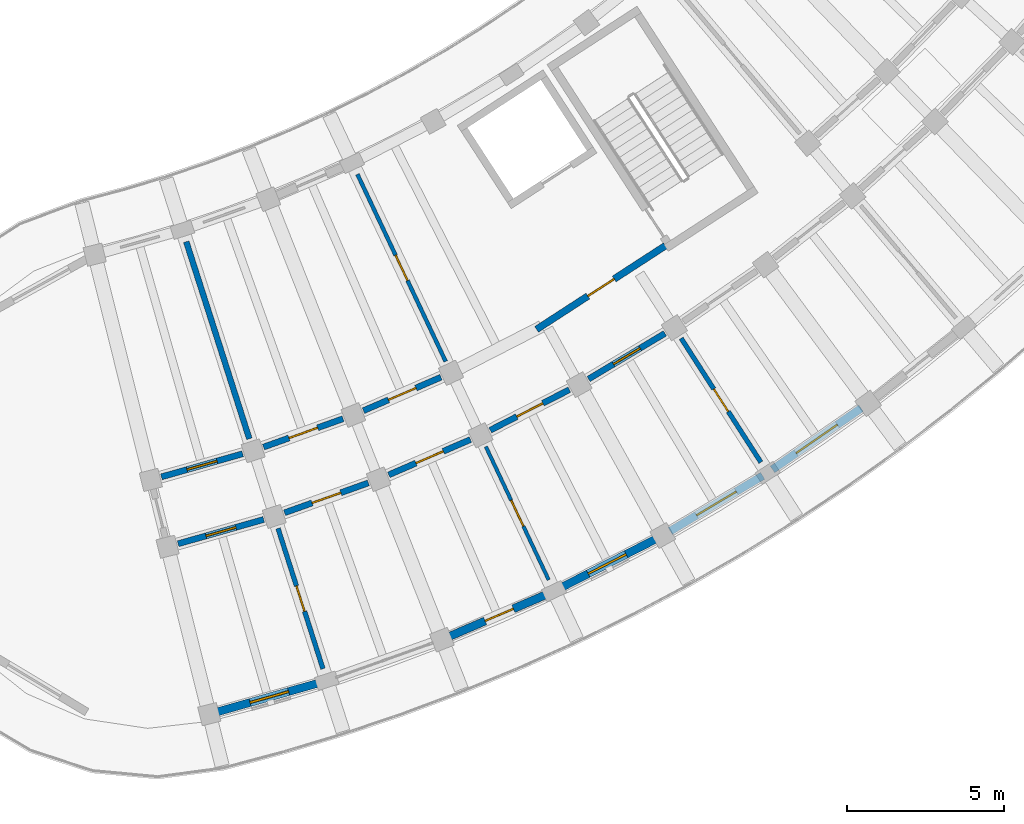
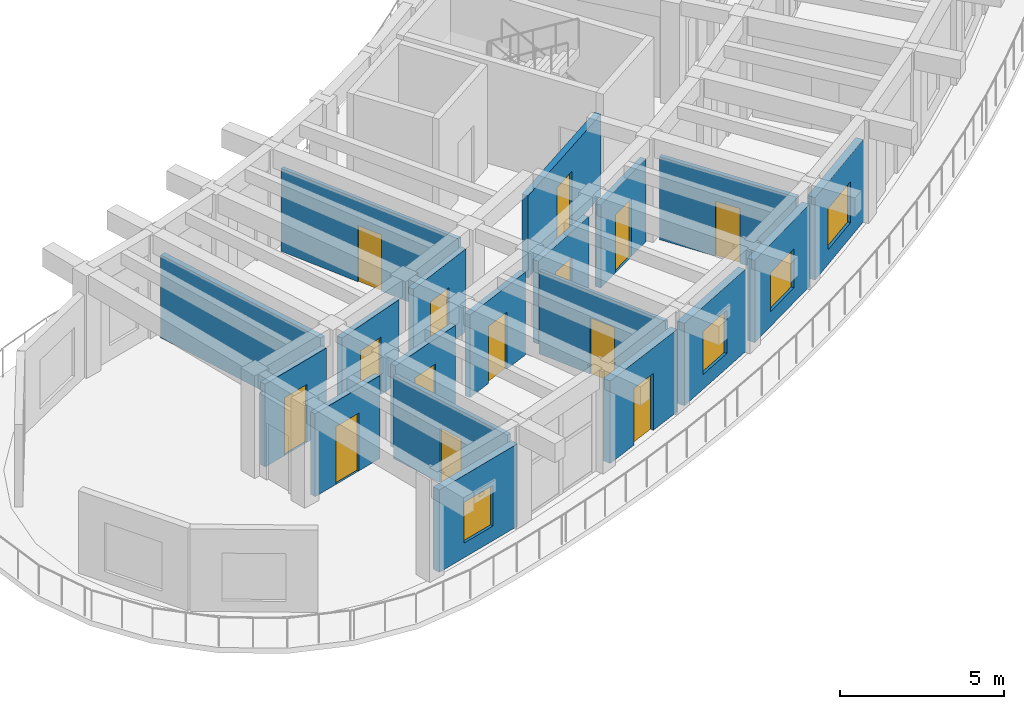
# One storey, part 94 of 128: 19 walls, 14 doors, 4 windows, 18 openings.
"""IFC4 building model written with IfcOpenShell, lengths in metres."""

from ifc_helpers import new_model, si_unit, direction, frame, frame_2d, origin, place, context, subcontext, project, spatial, rectangle, extrude, material, layer, layer_set, type_object, element, fill, save


model = new_model("IFC4")

# Units and contexts
model_context = context("Model", 3, precision=1e-05, world=origin(), true_north=direction((0.0, 1.0)))
body_context = subcontext(model_context, "Body", "Model", "MODEL_VIEW")
ifc_project = project(units=[si_unit("LENGTHUNIT", "METRE"), si_unit("AREAUNIT", "SQUARE_METRE"), si_unit("VOLUMEUNIT", "CUBIC_METRE"), si_unit("PLANEANGLEUNIT", "RADIAN"), si_unit("MASSUNIT", "GRAM", prefix="KILO")], contexts=[model_context])

# Site, building, storey
site_placement = place(None, origin())
site = spatial("IfcSite", under=ifc_project, at=site_placement, CompositionType="ELEMENT")
building_placement = place(site_placement, origin())
building = spatial("IfcBuilding", under=site, at=building_placement, Name="Tanwirah Colonnade Gardens", CompositionType="ELEMENT")
storey_placement = place(building_placement, frame((0.0, 0.0, 4.760009765625)))
storey = spatial("IfcBuildingStorey", under=building, at=storey_placement, Name="L01", CompositionType="ELEMENT", Elevation=4.760009765625)

# Wall, opening, window
ifc_material_1 = material(Name="Limestone architectural precast concrete C40/50", Category="masonry")
ifc_layer_1 = layer(ifc_material_1, 0.260009765625)
ifc_layer_set_1 = layer_set([ifc_layer_1], Name="Limestone architectural precast concrete C40/50")
wall_type_1 = type_object("IfcWallType", Name="EW-PC260", PredefinedType="SOLIDWALL", material=ifc_layer_set_1)
wall_1_placement = place(storey_placement, frame((135.6708984375, 6.794189453125, 0.0), z_axis=(0.0, 0.0, 1.0), x_axis=(0.961876981915, 0.273482488766, 0.0)))
wall_1 = element("IfcWall", 1, at=wall_1_placement, inside=storey, type_object=wall_type_1, Name="Block D L01 OUT Precast Facade Wall 0", PredefinedType="SOLIDWALL", context=body_context, shape_type="SweptSolid", body=[
    extrude(rectangle(XDim=3.43701171875, YDim=0.260009765625, at=frame_2d((1.718505859375, 0.0))), origin(), (0.0, 0.0, 1.0), 3.074951171875),
])
opening_1_placement = place(wall_1_placement, frame((1.078369140625, 0.0, 0.550048828125)))
opening_1 = element("IfcOpeningElement", 2, at=opening_1_placement, cuts=wall_1, Name="Opening WIN-T17", PredefinedType="OPENING", context=body_context, shape_type="SweptSolid", body=[
    extrude(rectangle(XDim=1.280029296875, YDim=1.52001953125, at=frame_2d((0.64013671875, 0.760009765625))), frame((0.0, 0.139892578125, 0.0), z_axis=(0.0, -1.0, 0.0), x_axis=(1.0, 0.0, 0.0)), (0.0, 0.0, 1.0), 0.280029296875),
])
ifc_material_2 = material(Name="Thermally broken bronze aluminium and solar low-E double glazing", Category="aluminium")
window_type_1 = type_object("IfcWindowType", Name="WIN-T17", PartitioningType="SINGLE_PANEL", PredefinedType="WINDOW", material=ifc_material_2)
window_1_placement = place(opening_1_placement, origin())
window_1 = element("IfcWindow", 3, at=window_1_placement, inside=storey, type_object=window_type_1, Name="Facade window D-L01-OUT-00", OverallHeight=1.52001953125, OverallWidth=1.280029296875, PartitioningType="SINGLE_PANEL", PredefinedType="WINDOW", context=body_context, shape_type="SweptSolid", body=[
    extrude(rectangle(XDim=1.280029296875, YDim=1.52001953125, at=frame_2d((0.64013671875, 0.760009765625))), frame((0.0, 0.030029296875, 0.0), z_axis=(0.0, -1.0, 0.0), x_axis=(1.0, 0.0, 0.0)), (0.0, 0.0, 1.0), 0.06005859375),
])
fill(opening_1, window_1)

# Wall, opening, door
wall_2_placement = place(storey_placement, frame((143.07763671875, 9.20263671875, 0.0), z_axis=(0.0, 0.0, 1.0), x_axis=(0.917905988043, 0.396797929826, 0.0)))
wall_2 = element("IfcWall", 4, at=wall_2_placement, inside=storey, type_object=wall_type_1, Name="Block D L01 OUT Precast Facade Wall 2", PredefinedType="SOLIDWALL", context=body_context, shape_type="SweptSolid", body=[
    extrude(rectangle(XDim=3.43701171875, YDim=0.260009765625, at=frame_2d((1.718505859375, 0.0))), origin(), (0.0, 0.0, 1.0), 3.074951171875),
])
opening_2_placement = place(wall_2_placement, frame((1.228515625, 0.0, 0.0)))
opening_2 = element("IfcOpeningElement", 5, at=opening_2_placement, cuts=wall_2, Name="Opening L01-ED176", PredefinedType="OPENING", context=body_context, shape_type="SweptSolid", body=[
    extrude(rectangle(XDim=0.97998046875, YDim=2.1201171875, at=frame_2d((0.489990234375, 1.06005859375))), frame((0.0, 0.139892578125, 0.0), z_axis=(0.0, -1.0, 0.0), x_axis=(1.0, 0.0, 0.0)), (0.0, 0.0, 1.0), 0.280029296875),
])
ifc_material_3 = material(Name="Bronze aluminium glazed balcony door", Category="aluminium")
door_type_1 = type_object("IfcDoorType", Name="ED-BAL098", OperationType="NOTDEFINED", PredefinedType="DOOR", material=ifc_material_3)
door_1_placement = place(opening_2_placement, origin())
door_1 = element("IfcDoor", 6, at=door_1_placement, inside=storey, type_object=door_type_1, Name="Balcony glazed door L01-ED176", OperationType="SINGLE_SWING_RIGHT", OverallHeight=2.1201171875, OverallWidth=0.97998046875, PredefinedType="DOOR", context=body_context, shape_type="SweptSolid", body=[
    extrude(rectangle(XDim=0.97998046875, YDim=2.1201171875, at=frame_2d((0.489990234375, 1.06005859375))), frame((0.0, 0.02490234375, 0.0), z_axis=(0.0, -1.0, 0.0), x_axis=(1.0, 0.0, 0.0)), (0.0, 0.0, 1.0), 0.050048828125),
])
fill(opening_2, door_1)

# Wall, opening, window
wall_3_placement = place(storey_placement, frame((146.56689453125, 10.72412109375, 0.0), z_axis=(0.0, 0.0, 1.0), x_axis=(0.890022976809, 0.455915672852, 0.0)))
wall_3 = element("IfcWall", 7, at=wall_3_placement, inside=storey, type_object=wall_type_1, Name="Block D L01 OUT Precast Facade Wall 3", PredefinedType="SOLIDWALL", context=body_context, shape_type="SweptSolid", body=[
    extrude(rectangle(XDim=3.436767578125, YDim=0.260009765625, at=frame_2d((1.71826171875, 0.0))), origin(), (0.0, 0.0, 1.0), 3.074951171875),
])
opening_3_placement = place(wall_3_placement, frame((1.038330078125, 0.0, 0.550048828125)))
opening_3 = element("IfcOpeningElement", 8, at=opening_3_placement, cuts=wall_3, Name="Opening WIN-U06", PredefinedType="OPENING", context=body_context, shape_type="SweptSolid", body=[
    extrude(rectangle(XDim=1.360107421875, YDim=1.610107421875, at=frame_2d((0.68017578125, 0.80517578125))), frame((0.0, 0.139892578125, 0.0), z_axis=(0.0, -1.0, 0.0), x_axis=(1.0, 0.0, 0.0)), (0.0, 0.0, 1.0), 0.280029296875),
])
window_type_2 = type_object("IfcWindowType", Name="WIN-U06", PartitioningType="DOUBLE_PANEL_VERTICAL", PredefinedType="WINDOW", material=ifc_material_2)
window_2_placement = place(opening_3_placement, origin())
window_2 = element("IfcWindow", 9, at=window_2_placement, inside=storey, type_object=window_type_2, Name="Facade window D-L01-OUT-03", OverallHeight=1.610107421875, OverallWidth=1.360107421875, PartitioningType="SINGLE_PANEL", PredefinedType="WINDOW", context=body_context, shape_type="SweptSolid", body=[
    extrude(rectangle(XDim=1.360107421875, YDim=1.610107421875, at=frame_2d((0.68017578125, 0.80517578125))), frame((0.0, 0.030029296875, 0.0), z_axis=(0.0, -1.0, 0.0), x_axis=(1.0, 0.0, 0.0)), (0.0, 0.0, 1.0), 0.06005859375),
])
fill(opening_3, window_2)

wall_4_placement = place(storey_placement, frame((150.1064453125, 12.5576171875, 0.0), z_axis=(0.0, 0.0, 1.0), x_axis=(0.858281691366, 0.51317885602, 0.0)))
wall_4 = element("IfcWall", 10, at=wall_4_placement, inside=storey, type_object=wall_type_1, Name="Block D L01 OUT Precast Facade Wall 4", PredefinedType="SOLIDWALL", context=body_context, shape_type="SweptSolid", body=[
    extrude(rectangle(XDim=3.436767578125, YDim=0.260009765625, at=frame_2d((1.71826171875, 0.0))), origin(), (0.0, 0.0, 1.0), 3.074951171875),
])
opening_4_placement = place(wall_4_placement, frame((0.978515625, 0.0, 0.550048828125)))
opening_4 = element("IfcOpeningElement", 11, at=opening_4_placement, cuts=wall_4, Name="Opening WIN-U09", PredefinedType="OPENING", context=body_context, shape_type="SweptSolid", body=[
    extrude(rectangle(XDim=1.47998046875, YDim=1.4599609375, at=frame_2d((0.739990234375, 0.72998046875))), frame((0.0, 0.139892578125, 0.0), z_axis=(0.0, -1.0, 0.0), x_axis=(1.0, 0.0, 0.0)), (0.0, 0.0, 1.0), 0.280029296875),
])
window_type_3 = type_object("IfcWindowType", Name="WIN-U09", PartitioningType="DOUBLE_PANEL_VERTICAL", PredefinedType="WINDOW", material=ifc_material_2)
window_3_placement = place(opening_4_placement, origin())
window_3 = element("IfcWindow", 12, at=window_3_placement, inside=storey, type_object=window_type_3, Name="Facade window D-L01-OUT-04", OverallHeight=1.4599609375, OverallWidth=1.47998046875, PartitioningType="SINGLE_PANEL", PredefinedType="WINDOW", context=body_context, shape_type="SweptSolid", body=[
    extrude(rectangle(XDim=1.47998046875, YDim=1.4599609375, at=frame_2d((0.739990234375, 0.72998046875))), frame((0.0, 0.030029296875, 0.0), z_axis=(0.0, -1.0, 0.0), x_axis=(1.0, 0.0, 0.0)), (0.0, 0.0, 1.0), 0.06005859375),
])
fill(opening_4, window_3)

wall_5_placement = place(storey_placement, frame((153.3671875, 14.521240234375, 0.0), z_axis=(0.0, 0.0, 1.0), x_axis=(0.822879502564, 0.568215913416, 0.0)))
wall_5 = element("IfcWall", 13, at=wall_5_placement, inside=storey, type_object=wall_type_1, Name="Block D L01 OUT Precast Facade Wall 5", PredefinedType="SOLIDWALL", context=body_context, shape_type="SweptSolid", body=[
    extrude(rectangle(XDim=3.436767578125, YDim=0.260009765625, at=frame_2d((1.71826171875, 0.0))), origin(), (0.0, 0.0, 1.0), 3.074951171875),
])
opening_5_placement = place(wall_5_placement, frame((0.91845703125, 0.0, 0.550048828125)))
opening_5 = element("IfcOpeningElement", 14, at=opening_5_placement, cuts=wall_5, Name="Opening WIN-U12", PredefinedType="OPENING", context=body_context, shape_type="SweptSolid", body=[
    extrude(rectangle(XDim=1.60009765625, YDim=1.534912109375, at=frame_2d((0.800048828125, 0.767578125))), frame((0.0, 0.139892578125, 0.0), z_axis=(0.0, -1.0, 0.0), x_axis=(1.0, 0.0, 0.0)), (0.0, 0.0, 1.0), 0.280029296875),
])
window_type_4 = type_object("IfcWindowType", Name="WIN-U12", PartitioningType="DOUBLE_PANEL_VERTICAL", PredefinedType="WINDOW", material=ifc_material_2)
window_4_placement = place(opening_5_placement, origin())
window_4 = element("IfcWindow", 15, at=window_4_placement, inside=storey, type_object=window_type_4, Name="Facade window D-L01-OUT-05", OverallHeight=1.534912109375, OverallWidth=1.60009765625, PartitioningType="SINGLE_PANEL", PredefinedType="WINDOW", context=body_context, shape_type="SweptSolid", body=[
    extrude(rectangle(XDim=1.60009765625, YDim=1.534912109375, at=frame_2d((0.800048828125, 0.767578125))), frame((0.0, 0.030029296875, 0.0), z_axis=(0.0, -1.0, 0.0), x_axis=(1.0, 0.0, 0.0)), (0.0, 0.0, 1.0), 0.06005859375),
])
fill(opening_5, window_4)

# Wall, opening, door
ifc_material_4 = material(Name="Precast concrete C40/50", Category="concrete")
ifc_layer_2 = layer(ifc_material_4, 0.195068359375)
ifc_layer_set_2 = layer_set([ifc_layer_2], Name="Precast concrete C40/50")
wall_type_2 = type_object("IfcWallType", Name="IW-CORR195", PredefinedType="PARTITIONING", material=ifc_layer_set_2)
wall_6_placement = place(storey_placement, frame((134.41259765625, 12.1513671875, 0.0), z_axis=(0.0, 0.0, 1.0), x_axis=(0.961873892319, 0.273493355085, 0.0)))
wall_6 = element("IfcWall", 16, at=wall_6_placement, inside=storey, type_object=wall_type_2, Name="Block D L01 OUT Corridor Wall 0", PredefinedType="PARTITIONING", context=body_context, shape_type="SweptSolid", body=[
    extrude(rectangle(XDim=2.8369140625, YDim=0.195068359375, at=frame_2d((1.41845703125, 0.0))), origin(), (0.0, 0.0, 1.0), 3.090087890625),
])
opening_6_placement = place(wall_6_placement, frame((0.923583984375, 0.0, 0.0)))
opening_6 = element("IfcOpeningElement", 17, at=opening_6_placement, cuts=wall_6, Name="Opening L01-AD1686", PredefinedType="OPENING", context=body_context, shape_type="SweptSolid", body=[
    extrude(rectangle(XDim=0.989990234375, YDim=2.159912109375, at=frame_2d((0.4951171875, 1.080078125))), frame((0.0, 0.107421875, 0.0), z_axis=(0.0, -1.0, 0.0), x_axis=(1.0, 0.0, 0.0)), (0.0, 0.0, 1.0), 0.215087890625),
])
ifc_material_5 = material(Name="Solid oak fire-resisting apartment entrance door")
door_type_2 = type_object("IfcDoorType", Name="ID-FLT099", OperationType="NOTDEFINED", PredefinedType="DOOR", material=ifc_material_5)
door_2_placement = place(opening_6_placement, origin())
door_2 = element("IfcDoor", 18, at=door_2_placement, inside=storey, type_object=door_type_2, Name="Apartment corridor door L01-AD1686", OperationType="SINGLE_SWING_RIGHT", OverallHeight=2.159912109375, OverallWidth=0.989990234375, PredefinedType="DOOR", context=body_context, shape_type="SweptSolid", body=[
    extrude(rectangle(XDim=0.989990234375, YDim=2.159912109375, at=frame_2d((0.4951171875, 1.080078125))), frame((0.0, 0.02490234375, 0.0), z_axis=(0.0, -1.0, 0.0), x_axis=(1.0, 0.0, 0.0)), (0.0, 0.0, 1.0), 0.050048828125),
])
fill(opening_6, door_2)

wall_7_placement = place(storey_placement, frame((133.88037109375, 14.285888671875, 0.0), z_axis=(0.0, 0.0, 1.0), x_axis=(0.961861926514, 0.273535435224, 0.0)))
wall_7 = element("IfcWall", 19, at=wall_7_placement, inside=storey, type_object=wall_type_2, Name="Block D L01 IN Corridor Wall 0", PredefinedType="PARTITIONING", context=body_context, shape_type="SweptSolid", body=[
    extrude(rectangle(XDim=2.69287109375, YDim=0.195068359375, at=frame_2d((1.346435546875, 0.0))), origin(), (0.0, 0.0, 1.0), 3.090087890625),
])
opening_7_placement = place(wall_7_placement, frame((0.8515625, 0.0, 0.0)))
opening_7 = element("IfcOpeningElement", 20, at=opening_7_placement, cuts=wall_7, Name="Opening L01-AD1687", PredefinedType="OPENING", context=body_context, shape_type="SweptSolid", body=[
    extrude(rectangle(XDim=0.989990234375, YDim=2.159912109375, at=frame_2d((0.4951171875, 1.080078125))), frame((0.0, 0.107421875, 0.0), z_axis=(0.0, -1.0, 0.0), x_axis=(1.0, 0.0, 0.0)), (0.0, 0.0, 1.0), 0.215087890625),
])
door_3_placement = place(opening_7_placement, origin())
door_3 = element("IfcDoor", 21, at=door_3_placement, inside=storey, type_object=door_type_2, Name="Apartment corridor door L01-AD1687", OperationType="SINGLE_SWING_LEFT", OverallHeight=2.159912109375, OverallWidth=0.989990234375, PredefinedType="DOOR", context=body_context, shape_type="SweptSolid", body=[
    extrude(rectangle(XDim=0.989990234375, YDim=2.159912109375, at=frame_2d((0.4951171875, 1.080078125))), frame((0.0, 0.02490234375, 0.0), z_axis=(0.0, -1.0, 0.0), x_axis=(1.0, 0.0, 0.0)), (0.0, 0.0, 1.0), 0.050048828125),
])
fill(opening_7, door_3)

wall_8_placement = place(storey_placement, frame((137.8076171875, 13.140625, 0.0), z_axis=(0.0, 0.0, 1.0), x_axis=(0.941930628611, 0.335807520589, 0.0)))
wall_8 = element("IfcWall", 22, at=wall_8_placement, inside=storey, type_object=wall_type_2, Name="Block D L01 OUT Corridor Wall 1", PredefinedType="PARTITIONING", context=body_context, shape_type="SweptSolid", body=[
    extrude(rectangle(XDim=2.8369140625, YDim=0.195068359375, at=frame_2d((1.41845703125, 0.0))), origin(), (0.0, 0.0, 1.0), 3.090087890625),
])
opening_8_placement = place(wall_8_placement, frame((0.93359375, 0.0, 0.0)))
opening_8 = element("IfcOpeningElement", 23, at=opening_8_placement, cuts=wall_8, Name="Opening L01-AD1689", PredefinedType="OPENING", context=body_context, shape_type="SweptSolid", body=[
    extrude(rectangle(XDim=0.969970703125, YDim=2.14990234375, at=frame_2d((0.48486328125, 1.074951171875))), frame((0.0, 0.107421875, 0.0), z_axis=(0.0, -1.0, 0.0), x_axis=(1.0, 0.0, 0.0)), (0.0, 0.0, 1.0), 0.215087890625),
])
door_type_3 = type_object("IfcDoorType", Name="ID-FLT097", OperationType="NOTDEFINED", PredefinedType="DOOR", material=ifc_material_5)
door_4_placement = place(opening_8_placement, origin())
door_4 = element("IfcDoor", 24, at=door_4_placement, inside=storey, type_object=door_type_3, Name="Apartment corridor door L01-AD1689", OperationType="SINGLE_SWING_LEFT", OverallHeight=2.14990234375, OverallWidth=0.969970703125, PredefinedType="DOOR", context=body_context, shape_type="SweptSolid", body=[
    extrude(rectangle(XDim=0.969970703125, YDim=2.14990234375, at=frame_2d((0.48486328125, 1.074951171875))), frame((0.0, 0.02490234375, 0.0), z_axis=(0.0, -1.0, 0.0), x_axis=(1.0, 0.0, 0.0)), (0.0, 0.0, 1.0), 0.050048828125),
])
fill(opening_8, door_4)

wall_9_placement = place(storey_placement, frame((137.136962890625, 15.23583984375, 0.0), z_axis=(0.0, 0.0, 1.0), x_axis=(0.941895652647, 0.335905611036, 0.0)))
wall_9 = element("IfcWall", 25, at=wall_9_placement, inside=storey, type_object=wall_type_2, Name="Block D L01 IN Corridor Wall 1", PredefinedType="PARTITIONING", context=body_context, shape_type="SweptSolid", body=[
    extrude(rectangle(XDim=2.69287109375, YDim=0.195068359375, at=frame_2d((1.346435546875, 0.0))), origin(), (0.0, 0.0, 1.0), 3.090087890625),
])
opening_9_placement = place(wall_9_placement, frame((0.861572265625, 0.0, 0.0)))
opening_9 = element("IfcOpeningElement", 26, at=opening_9_placement, cuts=wall_9, Name="Opening L01-AD1690", PredefinedType="OPENING", context=body_context, shape_type="SweptSolid", body=[
    extrude(rectangle(XDim=0.969970703125, YDim=2.14990234375, at=frame_2d((0.48486328125, 1.074951171875))), frame((0.0, 0.107421875, 0.0), z_axis=(0.0, -1.0, 0.0), x_axis=(1.0, 0.0, 0.0)), (0.0, 0.0, 1.0), 0.215087890625),
])
door_5_placement = place(opening_9_placement, origin())
door_5 = element("IfcDoor", 27, at=door_5_placement, inside=storey, type_object=door_type_3, Name="Apartment corridor door L01-AD1690", OperationType="SINGLE_SWING_RIGHT", OverallHeight=2.14990234375, OverallWidth=0.969970703125, PredefinedType="DOOR", context=body_context, shape_type="SweptSolid", body=[
    extrude(rectangle(XDim=0.969970703125, YDim=2.14990234375, at=frame_2d((0.48486328125, 1.074951171875))), frame((0.0, 0.02490234375, 0.0), z_axis=(0.0, -1.0, 0.0), x_axis=(1.0, 0.0, 0.0)), (0.0, 0.0, 1.0), 0.050048828125),
])
fill(opening_9, door_5)

wall_10_placement = place(storey_placement, frame((141.130615234375, 14.349853515625, 0.0), z_axis=(0.0, 0.0, 1.0), x_axis=(0.917943439406, 0.396711282991, 0.0)))
wall_10 = element("IfcWall", 28, at=wall_10_placement, inside=storey, type_object=wall_type_2, Name="Block D L01 OUT Corridor Wall 2", PredefinedType="PARTITIONING", context=body_context, shape_type="SweptSolid", body=[
    extrude(rectangle(XDim=2.837158203125, YDim=0.195068359375, at=frame_2d((1.41845703125, 0.0))), origin(), (0.0, 0.0, 1.0), 3.090087890625),
])
opening_10_placement = place(wall_10_placement, frame((0.943603515625, 0.0, 0.0)))
opening_10 = element("IfcOpeningElement", 29, at=opening_10_placement, cuts=wall_10, Name="Opening L01-AD1691", PredefinedType="OPENING", context=body_context, shape_type="SweptSolid", body=[
    extrude(rectangle(XDim=0.949951171875, YDim=2.1298828125, at=frame_2d((0.47509765625, 1.06494140625))), frame((0.0, 0.107421875, 0.0), z_axis=(0.0, -1.0, 0.0), x_axis=(1.0, 0.0, 0.0)), (0.0, 0.0, 1.0), 0.215087890625),
])
door_type_4 = type_object("IfcDoorType", Name="ID-FLT095", OperationType="NOTDEFINED", PredefinedType="DOOR", material=ifc_material_5)
door_6_placement = place(opening_10_placement, origin())
door_6 = element("IfcDoor", 30, at=door_6_placement, inside=storey, type_object=door_type_4, Name="Apartment corridor door L01-AD1691", OperationType="SINGLE_SWING_RIGHT", OverallHeight=2.1298828125, OverallWidth=0.949951171875, PredefinedType="DOOR", context=body_context, shape_type="SweptSolid", body=[
    extrude(rectangle(XDim=0.949951171875, YDim=2.1298828125, at=frame_2d((0.47509765625, 1.06494140625))), frame((0.0, 0.02490234375, 0.0), z_axis=(0.0, -1.0, 0.0), x_axis=(1.0, 0.0, 0.0)), (0.0, 0.0, 1.0), 0.050048828125),
])
fill(opening_10, door_6)

wall_11_placement = place(storey_placement, frame((140.324462890625, 16.396728515625, 0.0), z_axis=(0.0, 0.0, 1.0), x_axis=(0.91793557165, 0.39672948756, 0.0)))
wall_11 = element("IfcWall", 31, at=wall_11_placement, inside=storey, type_object=wall_type_2, Name="Block D L01 IN Corridor Wall 2", PredefinedType="PARTITIONING", context=body_context, shape_type="SweptSolid", body=[
    extrude(rectangle(XDim=2.69287109375, YDim=0.195068359375, at=frame_2d((1.346435546875, 0.0))), origin(), (0.0, 0.0, 1.0), 3.090087890625),
])
opening_11_placement = place(wall_11_placement, frame((0.87158203125, 0.0, 0.0)))
opening_11 = element("IfcOpeningElement", 32, at=opening_11_placement, cuts=wall_11, Name="Opening L01-AD1692", PredefinedType="OPENING", context=body_context, shape_type="SweptSolid", body=[
    extrude(rectangle(XDim=0.949951171875, YDim=2.1298828125, at=frame_2d((0.47509765625, 1.06494140625))), frame((0.0, 0.107421875, 0.0), z_axis=(0.0, -1.0, 0.0), x_axis=(1.0, 0.0, 0.0)), (0.0, 0.0, 1.0), 0.215087890625),
])
door_7_placement = place(opening_11_placement, origin())
door_7 = element("IfcDoor", 33, at=door_7_placement, inside=storey, type_object=door_type_4, Name="Apartment corridor door L01-AD1692", OperationType="SINGLE_SWING_LEFT", OverallHeight=2.1298828125, OverallWidth=0.949951171875, PredefinedType="DOOR", context=body_context, shape_type="SweptSolid", body=[
    extrude(rectangle(XDim=0.949951171875, YDim=2.1298828125, at=frame_2d((0.47509765625, 1.06494140625))), frame((0.0, 0.02490234375, 0.0), z_axis=(0.0, -1.0, 0.0), x_axis=(1.0, 0.0, 0.0)), (0.0, 0.0, 1.0), 0.050048828125),
])
fill(opening_11, door_7)

wall_12_placement = place(storey_placement, frame((144.367431640625, 15.773681640625, 0.0), z_axis=(0.0, 0.0, 1.0), x_axis=(0.890030590607, 0.45590080915, 0.0)))
wall_12 = element("IfcWall", 34, at=wall_12_placement, inside=storey, type_object=wall_type_2, Name="Block D L01 OUT Corridor Wall 3", PredefinedType="PARTITIONING", context=body_context, shape_type="SweptSolid", body=[
    extrude(rectangle(XDim=2.837158203125, YDim=0.195068359375, at=frame_2d((1.41845703125, 0.0))), origin(), (0.0, 0.0, 1.0), 3.090087890625),
])
opening_12_placement = place(wall_12_placement, frame((0.95361328125, 0.0, 0.0)))
opening_12 = element("IfcOpeningElement", 35, at=opening_12_placement, cuts=wall_12, Name="Opening L01-AD1695", PredefinedType="OPENING", context=body_context, shape_type="SweptSolid", body=[
    extrude(rectangle(XDim=0.929931640625, YDim=2.1201171875, at=frame_2d((0.46484375, 1.06005859375))), frame((0.0, 0.107421875, 0.0), z_axis=(0.0, -1.0, 0.0), x_axis=(1.0, 0.0, 0.0)), (0.0, 0.0, 1.0), 0.215087890625),
])
door_type_5 = type_object("IfcDoorType", Name="ID-FLT093", OperationType="NOTDEFINED", PredefinedType="DOOR", material=ifc_material_5)
door_8_placement = place(opening_12_placement, origin())
door_8 = element("IfcDoor", 36, at=door_8_placement, inside=storey, type_object=door_type_5, Name="Apartment corridor door L01-AD1695", OperationType="SINGLE_SWING_LEFT", OverallHeight=2.1201171875, OverallWidth=0.929931640625, PredefinedType="DOOR", context=body_context, shape_type="SweptSolid", body=[
    extrude(rectangle(XDim=0.929931640625, YDim=2.1201171875, at=frame_2d((0.46484375, 1.06005859375))), frame((0.0, 0.02490234375, 0.0), z_axis=(0.0, -1.0, 0.0), x_axis=(1.0, 0.0, 0.0)), (0.0, 0.0, 1.0), 0.050048828125),
])
fill(opening_12, door_8)

wall_13_placement = place(storey_placement, frame((147.50439453125, 17.406494140625, 0.0), z_axis=(0.0, 0.0, 1.0), x_axis=(0.858281647443, 0.51317892948, 0.0)))
wall_13 = element("IfcWall", 37, at=wall_13_placement, inside=storey, type_object=wall_type_2, Name="Block D L01 OUT Corridor Wall 4", PredefinedType="PARTITIONING", context=body_context, shape_type="SweptSolid", body=[
    extrude(rectangle(XDim=2.8369140625, YDim=0.195068359375, at=frame_2d((1.41845703125, 0.0))), origin(), (0.0, 0.0, 1.0), 3.090087890625),
])
opening_13_placement = place(wall_13_placement, frame((0.923583984375, 0.0, 0.0)))
opening_13 = element("IfcOpeningElement", 38, at=opening_13_placement, cuts=wall_13, Name="Opening L01-AD1696", PredefinedType="OPENING", context=body_context, shape_type="SweptSolid", body=[
    extrude(rectangle(XDim=0.989990234375, YDim=2.159912109375, at=frame_2d((0.4951171875, 1.080078125))), frame((0.0, 0.107421875, 0.0), z_axis=(0.0, -1.0, 0.0), x_axis=(1.0, 0.0, 0.0)), (0.0, 0.0, 1.0), 0.215087890625),
])
door_9_placement = place(opening_13_placement, origin())
door_9 = element("IfcDoor", 39, at=door_9_placement, inside=storey, type_object=door_type_2, Name="Apartment corridor door L01-AD1696", OperationType="SINGLE_SWING_RIGHT", OverallHeight=2.159912109375, OverallWidth=0.989990234375, PredefinedType="DOOR", context=body_context, shape_type="SweptSolid", body=[
    extrude(rectangle(XDim=0.989990234375, YDim=2.159912109375, at=frame_2d((0.4951171875, 1.080078125))), frame((0.0, 0.02490234375, 0.0), z_axis=(0.0, -1.0, 0.0), x_axis=(1.0, 0.0, 0.0)), (0.0, 0.0, 1.0), 0.050048828125),
])
fill(opening_13, door_9)

# Wall
ifc_layer_3 = layer(ifc_material_4, 0.18505859375)
ifc_layer_set_3 = layer_set([ifc_layer_3], Name="Precast concrete C40/50")
wall_type_3 = type_object("IfcWallType", Name="IW-DEM185", PredefinedType="PARTITIONING", material=ifc_layer_set_3)
wall_14_placement = place(storey_placement, frame((134.673095703125, 21.78515625, 0.0), z_axis=(0.0, 0.0, 1.0), x_axis=(0.304875046605, -0.95239235925, 0.0)))
element("IfcWall", 40, at=wall_14_placement, inside=storey, type_object=wall_type_3, Name="Block D L01 Inner Radial Partition 0", PredefinedType="PARTITIONING", context=body_context, shape_type="SweptSolid", body=[
    extrude(rectangle(XDim=6.60009765625, YDim=0.18505859375, at=frame_2d((3.300048828125, 0.0))), origin(), (0.0, 0.0, 1.0), 3.090087890625),
])

# Wall, opening, door
ifc_material_6 = material(Name="Autoclaved aerated masonry blockwork", Category="masonry")
ifc_layer_4 = layer(ifc_material_6, 0.219970703125)
ifc_layer_set_4 = layer_set([ifc_layer_4], Name="Autoclaved aerated masonry blockwork")
wall_type_4 = type_object("IfcWallType", Name="IW-FFL220", PredefinedType="PARTITIONING", material=ifc_layer_set_4)
wall_15_placement = place(storey_placement, frame((149.95458984375, 21.658203125, 0.0), z_axis=(0.0, 0.0, 1.0), x_axis=(-0.838681446513, -0.544622283124, 0.0)))
wall_15 = element("IfcWall", 41, at=wall_15_placement, inside=storey, type_object=wall_type_4, Name="CORE-D1 L01 Enclosed Lobby Fire Wall", PredefinedType="PARTITIONING", context=body_context, shape_type="SweptSolid", body=[
    extrude(rectangle(XDim=4.900146484375, YDim=0.219970703125, at=frame_2d((2.4501953125, 0.0))), origin(), (0.0, 0.0, 1.0), 3.06005859375),
])
opening_14_placement = place(wall_15_placement, frame((1.949951171875, 0.0, 0.0)))
opening_14 = element("IfcOpeningElement", 42, at=opening_14_placement, cuts=wall_15, Name="Opening L01-LD181", PredefinedType="OPENING", context=body_context, shape_type="SweptSolid", body=[
    extrude(rectangle(XDim=1.0, YDim=2.14990234375, at=frame_2d((0.5, 1.074951171875))), frame((0.0, 0.119873046875, 0.0), z_axis=(0.0, -1.0, 0.0), x_axis=(1.0, 0.0, 0.0)), (0.0, 0.0, 1.0), 0.239990234375),
])
ifc_material_7 = material(Name="Acoustic fire-resisting lobby door")
door_type_6 = type_object("IfcDoorType", Name="ID-FFL100", OperationType="NOTDEFINED", PredefinedType="DOOR", material=ifc_material_7)
door_10_placement = place(opening_14_placement, origin())
door_10 = element("IfcDoor", 43, at=door_10_placement, inside=storey, type_object=door_type_6, Name="CORE-D1 L01 Lobby Fire Door L01-LD181", OperationType="SINGLE_SWING_RIGHT", OverallHeight=2.14990234375, OverallWidth=1.0, PredefinedType="DOOR", context=body_context, shape_type="SweptSolid", body=[
    extrude(rectangle(XDim=1.0, YDim=2.14990234375, at=frame_2d((0.5, 1.074951171875))), frame((0.0, 0.02490234375, 0.0), z_axis=(0.0, -1.0, 0.0), x_axis=(1.0, 0.0, 0.0)), (0.0, 0.0, 1.0), 0.050048828125),
])
fill(opening_14, door_10)

ifc_material_8 = material(Name="Acoustic gypsum stud partition")
ifc_layer_5 = layer(ifc_material_8, 0.114990234375)
ifc_layer_set_5 = layer_set([ifc_layer_5], Name="Acoustic gypsum stud partition")
wall_type_5 = type_object("IfcWallType", Name="IW-INT115", PredefinedType="PARTITIONING", material=ifc_layer_set_5)
wall_16_placement = place(storey_placement, frame((144.2265625, 15.25244140625, 0.0), z_axis=(0.0, 0.0, 1.0), x_axis=(0.426567365945, -0.904455793453, 0.0)))
wall_16 = element("IfcWall", 44, at=wall_16_placement, inside=storey, type_object=wall_type_5, Name="Block D L01 Radial Partition 2", PredefinedType="PARTITIONING", context=body_context, shape_type="SweptSolid", body=[
    extrude(rectangle(XDim=4.699951171875, YDim=0.114990234375, at=frame_2d((2.35009765625, 0.0))), origin(), (0.0, 0.0, 1.0), 3.090087890625),
])
opening_15_placement = place(wall_16_placement, frame((1.89501953125, 0.0, 0.0)))
opening_15 = element("IfcOpeningElement", 45, at=opening_15_placement, cuts=wall_16, Name="Opening L01-RD1693", PredefinedType="OPENING", context=body_context, shape_type="SweptSolid", body=[
    extrude(rectangle(XDim=0.909912109375, YDim=2.10009765625, at=frame_2d((0.455078125, 1.050048828125))), frame((0.0, 0.0673828125, 0.0), z_axis=(0.0, -1.0, 0.0), x_axis=(1.0, 0.0, 0.0)), (0.0, 0.0, 1.0), 0.135009765625),
])
ifc_material_9 = material(Name="Painted hardwood internal room door", Category="wood")
door_type_7 = type_object("IfcDoorType", Name="ID-RM091", OperationType="NOTDEFINED", PredefinedType="DOOR", material=ifc_material_9)
door_11_placement = place(opening_15_placement, origin())
door_11 = element("IfcDoor", 46, at=door_11_placement, inside=storey, type_object=door_type_7, Name="Internal apartment door L01-RD1693", OperationType="SINGLE_SWING_RIGHT", OverallHeight=2.10009765625, OverallWidth=0.909912109375, PredefinedType="DOOR", context=body_context, shape_type="SweptSolid", body=[
    extrude(rectangle(XDim=0.909912109375, YDim=2.10009765625, at=frame_2d((0.455078125, 1.050048828125))), frame((0.0, 0.02490234375, 0.0), z_axis=(0.0, -1.0, 0.0), x_axis=(1.0, 0.0, 0.0)), (0.0, 0.0, 1.0), 0.050048828125),
])
fill(opening_15, door_11)

ifc_material_10 = material(Name="Moisture-resistant gypsum stud partition")
ifc_layer_6 = layer(ifc_material_10, 0.125)
ifc_layer_set_6 = layer_set([ifc_layer_6], Name="Moisture-resistant gypsum stud partition")
wall_type_6 = type_object("IfcWallType", Name="IW-INT125", PredefinedType="PARTITIONING", material=ifc_layer_set_6)
wall_17_placement = place(storey_placement, frame((140.131591796875, 23.935302734375, 0.0), z_axis=(0.0, 0.0, 1.0), x_axis=(0.426573573579, -0.904452865728, 0.0)))
wall_17 = element("IfcWall", 47, at=wall_17_placement, inside=storey, type_object=wall_type_6, Name="Block D L01 Inner Radial Partition 2", PredefinedType="PARTITIONING", context=body_context, shape_type="SweptSolid", body=[
    extrude(rectangle(XDim=6.60009765625, YDim=0.125, at=frame_2d((3.300048828125, 0.0))), origin(), (0.0, 0.0, 1.0), 3.090087890625),
])
opening_16_placement = place(wall_17_placement, frame((2.85498046875, 0.0, 0.0)))
opening_16 = element("IfcOpeningElement", 48, at=opening_16_placement, cuts=wall_17, Name="Opening L01-RD1694", PredefinedType="OPENING", context=body_context, shape_type="SweptSolid", body=[
    extrude(rectangle(XDim=0.889892578125, YDim=2.10009765625, at=frame_2d((0.44482421875, 1.050048828125))), frame((0.0, 0.072509765625, 0.0), z_axis=(0.0, -1.0, 0.0), x_axis=(1.0, 0.0, 0.0)), (0.0, 0.0, 1.0), 0.14501953125),
])
ifc_material_11 = material(Name="Painted hardwood bedroom door", Category="wood")
door_type_8 = type_object("IfcDoorType", Name="ID-RM089", OperationType="NOTDEFINED", PredefinedType="DOOR", material=ifc_material_11)
door_12_placement = place(opening_16_placement, origin())
door_12 = element("IfcDoor", 49, at=door_12_placement, inside=storey, type_object=door_type_8, Name="Internal apartment door L01-RD1694", OperationType="SINGLE_SWING_LEFT", OverallHeight=2.10009765625, OverallWidth=0.889892578125, PredefinedType="DOOR", context=body_context, shape_type="SweptSolid", body=[
    extrude(rectangle(XDim=0.889892578125, YDim=2.10009765625, at=frame_2d((0.44482421875, 1.050048828125))), frame((0.0, 0.02490234375, 0.0), z_axis=(0.0, -1.0, 0.0), x_axis=(1.0, 0.0, 0.0)), (0.0, 0.0, 1.0), 0.050048828125),
])
fill(opening_16, door_12)

ifc_material_12 = material(Name="Water-resistant acoustic plumbing partition")
ifc_layer_7 = layer(ifc_material_12, 0.14990234375)
ifc_layer_set_7 = layer_set([ifc_layer_7], Name="Water-resistant acoustic plumbing partition")
wall_type_7 = type_object("IfcWallType", Name="IW-WET150", PredefinedType="PLUMBINGWALL", material=ifc_layer_set_7)
wall_18_placement = place(storey_placement, frame((137.599853515625, 12.64208984375, 0.0), z_axis=(0.0, 0.0, 1.0), x_axis=(0.304860540454, -0.952397002764, 0.0)))
wall_18 = element("IfcWall", 50, at=wall_18_placement, inside=storey, type_object=wall_type_7, Name="Block D L01 Radial Partition 0", PredefinedType="PLUMBINGWALL", context=body_context, shape_type="SweptSolid", body=[
    extrude(rectangle(XDim=4.699951171875, YDim=0.14990234375, at=frame_2d((2.35009765625, 0.0))), origin(), (0.0, 0.0, 1.0), 3.090087890625),
])
opening_17_placement = place(wall_18_placement, frame((1.925048828125, 0.0, 0.0)))
opening_17 = element("IfcOpeningElement", 51, at=opening_17_placement, cuts=wall_18, Name="Opening L01-RD1688", PredefinedType="OPENING", context=body_context, shape_type="SweptSolid", body=[
    extrude(rectangle(XDim=0.85009765625, YDim=2.050048828125, at=frame_2d((0.425048828125, 1.02490234375))), frame((0.0, 0.0849609375, 0.0), z_axis=(0.0, -1.0, 0.0), x_axis=(1.0, 0.0, 0.0)), (0.0, 0.0, 1.0), 0.169921875),
])
ifc_material_13 = material(Name="Moisture-resistant en-suite door")
door_type_9 = type_object("IfcDoorType", Name="ID-WET085", OperationType="NOTDEFINED", PredefinedType="DOOR", material=ifc_material_13)
door_13_placement = place(opening_17_placement, origin())
door_13 = element("IfcDoor", 52, at=door_13_placement, inside=storey, type_object=door_type_9, Name="Internal apartment door L01-RD1688", OperationType="SINGLE_SWING_RIGHT", OverallHeight=2.050048828125, OverallWidth=0.85009765625, PredefinedType="DOOR", context=body_context, shape_type="SweptSolid", body=[
    extrude(rectangle(XDim=0.85009765625, YDim=2.050048828125, at=frame_2d((0.425048828125, 1.02490234375))), frame((0.0, 0.02490234375, 0.0), z_axis=(0.0, -1.0, 0.0), x_axis=(1.0, 0.0, 0.0)), (0.0, 0.0, 1.0), 0.050048828125),
])
fill(opening_17, door_13)

wall_19_placement = place(storey_placement, frame((150.4560546875, 18.705322265625, 0.0), z_axis=(0.0, 0.0, 1.0), x_axis=(0.540959731567, -0.84104849374, 0.0)))
wall_19 = element("IfcWall", 53, at=wall_19_placement, inside=storey, type_object=wall_type_7, Name="Block D L01 Radial Partition 4", PredefinedType="PLUMBINGWALL", context=body_context, shape_type="SweptSolid", body=[
    extrude(rectangle(XDim=4.699951171875, YDim=0.14990234375, at=frame_2d((2.35009765625, 0.0))), origin(), (0.0, 0.0, 1.0), 3.090087890625),
])
opening_18_placement = place(wall_19_placement, frame((1.925048828125, 0.0, 0.0)))
opening_18 = element("IfcOpeningElement", 54, at=opening_18_placement, cuts=wall_19, Name="Opening L01-RD1697", PredefinedType="OPENING", context=body_context, shape_type="SweptSolid", body=[
    extrude(rectangle(XDim=0.85009765625, YDim=2.050048828125, at=frame_2d((0.425048828125, 1.02490234375))), frame((0.0, 0.0849609375, 0.0), z_axis=(0.0, -1.0, 0.0), x_axis=(1.0, 0.0, 0.0)), (0.0, 0.0, 1.0), 0.169921875),
])
door_14_placement = place(opening_18_placement, origin())
door_14 = element("IfcDoor", 55, at=door_14_placement, inside=storey, type_object=door_type_9, Name="Internal apartment door L01-RD1697", OperationType="SINGLE_SWING_RIGHT", OverallHeight=2.050048828125, OverallWidth=0.85009765625, PredefinedType="DOOR", context=body_context, shape_type="SweptSolid", body=[
    extrude(rectangle(XDim=0.85009765625, YDim=2.050048828125, at=frame_2d((0.425048828125, 1.02490234375))), frame((0.0, 0.02490234375, 0.0), z_axis=(0.0, -1.0, 0.0), x_axis=(1.0, 0.0, 0.0)), (0.0, 0.0, 1.0), 0.050048828125),
])
fill(opening_18, door_14)

save(model, "model.ifc")
